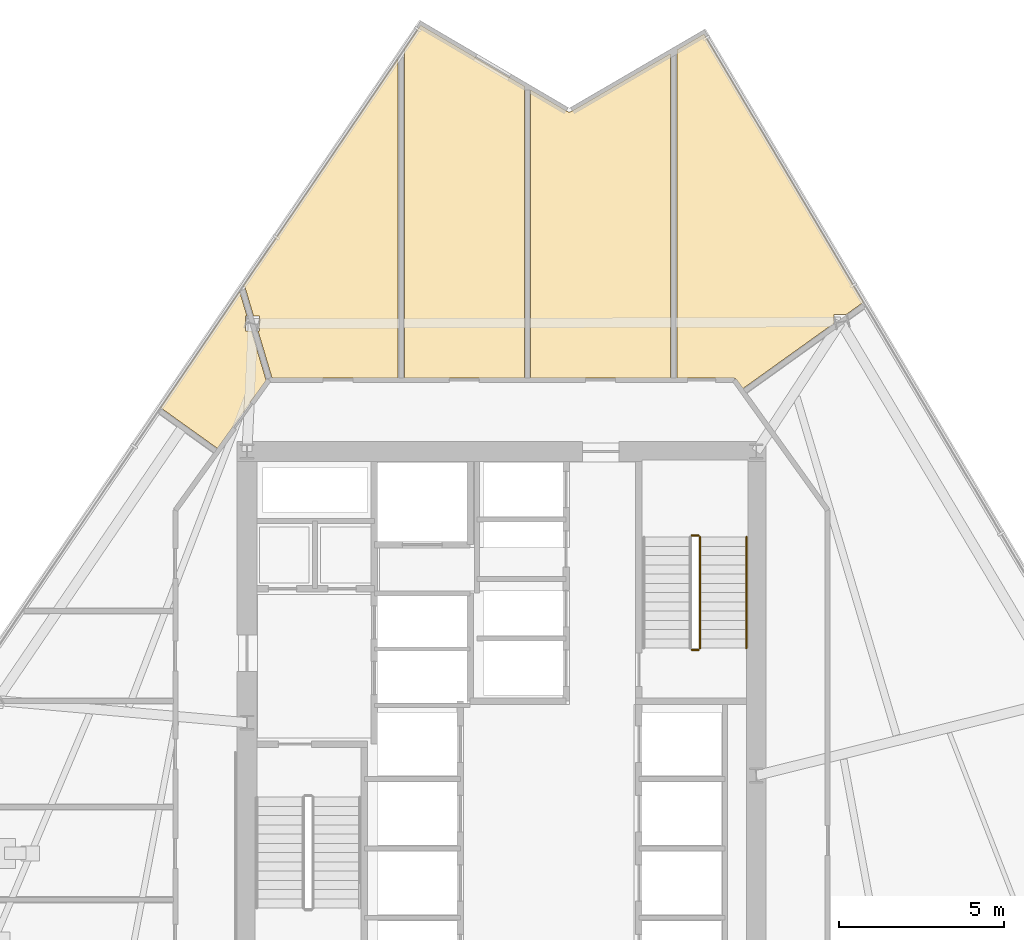
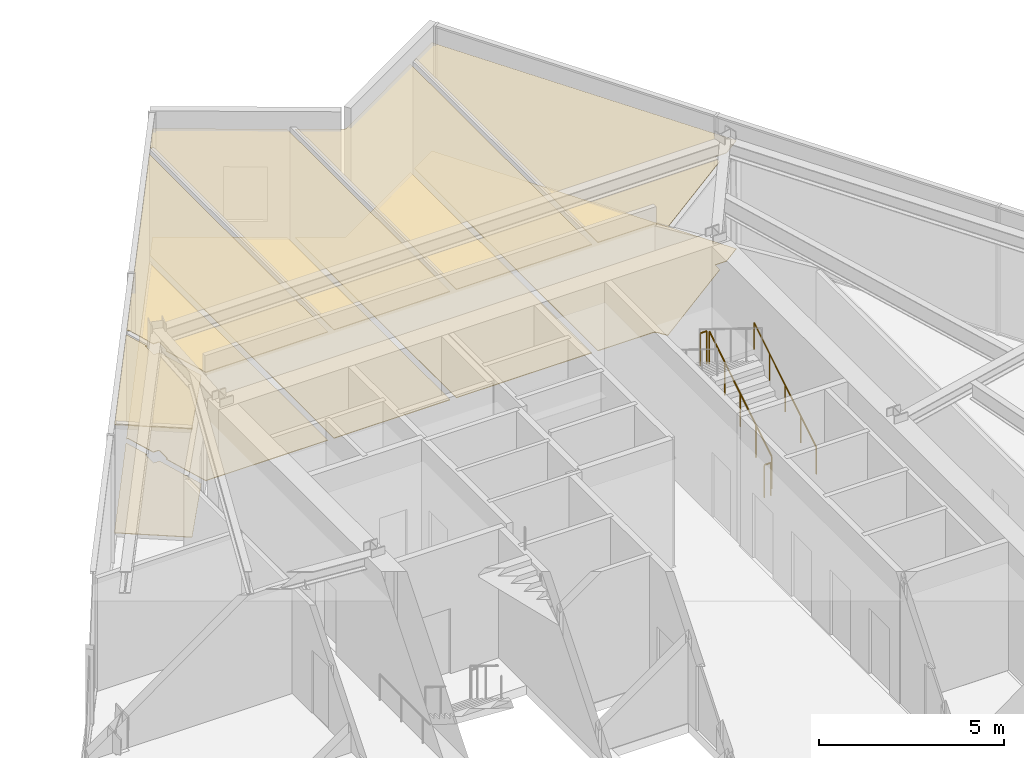
# One storey, part 13 of 14: 10 coverings, 4 railings.
"""IFC4 building model written with IfcOpenShell, lengths in metres."""

from ifc_helpers import new_model, si_unit, direction, frame, origin, origin_2d, place, context, subcontext, project, spatial, polyline, circle, outline, extrude, material, layer, layer_set, type_object, element, save


model = new_model("IFC4")

# Units and contexts
model_context = context("Model", 3, precision=1e-05, world=origin(), true_north=direction((0.0, 1.0)))
body_context = subcontext(model_context, "Body", "Model", "MODEL_VIEW")
ifc_project = project(units=[si_unit("LENGTHUNIT", "METRE"), si_unit("AREAUNIT", "SQUARE_METRE"), si_unit("VOLUMEUNIT", "CUBIC_METRE"), si_unit("PLANEANGLEUNIT", "RADIAN"), si_unit("MASSUNIT", "GRAM", prefix="KILO")], contexts=[model_context])

# Site, building, storey
site_placement = place(None, origin())
site = spatial("IfcSite", under=ifc_project, at=site_placement, CompositionType="ELEMENT")
building_placement = place(site_placement, origin())
building = spatial("IfcBuilding", under=site, at=building_placement, Name="Savorim Split Tower", CompositionType="ELEMENT")
storey_placement = place(building_placement, frame((0.0, 0.0, 78.0)))
storey = spatial("IfcBuildingStorey", under=building, at=storey_placement, Name="L20", CompositionType="ELEMENT", Elevation=78.0)

# Coverings
ifc_material_1 = material(Name="Mineral Fibre Acoustic Ceiling")
ifc_layer_1 = layer(ifc_material_1, 0.02490234375)
ifc_layer_set_1 = layer_set([ifc_layer_1], Name="COV-CEIL-25")
covering_type_1 = type_object("IfcCoveringType", Name="COV-CEIL-25", PredefinedType="CEILING", material=ifc_layer_set_1)
covering_1_placement = place(storey_placement, frame((0.0, 0.0, 3.570068359375)))
element("IfcCovering", 1, at=covering_1_placement, inside=storey, type_object=covering_type_1, Name="L20 Communal Lounge Acoustic Ceiling", PredefinedType="CEILING", context=body_context, shape_type="SweptSolid", body=[
    extrude(outline(polyline([(10.89404296875, 14.679931640625), (10.94140625, 14.7138671875), (6.120849609375, 22.821044921875), (5.29931640625, 22.34228515625), (5.29931640625, 12.419921875), (7.0, 12.419921875), (7.01318359375, 12.41943359375), (7.0263671875, 12.41748046875), (7.039306640625, 12.414306640625), (7.052001953125, 12.409912109375), (7.06396484375, 12.404541015625), (7.075439453125, 12.39794921875), (7.086181640625, 12.39013671875), (7.096435546875, 12.381591796875), (7.105712890625, 12.3720703125), (7.11376953125, 12.361572265625), (7.298583984375, 12.103759765625), (10.0576171875, 14.080810546875), (10.0576171875, 14.340087890625), (10.419677734375, 14.340087890625), (10.89404296875, 14.679931640625)])), origin(), (0.0, 0.0, 1.0), 0.02490234375),
])
covering_2_placement = place(storey_placement, frame((0.0, 0.0, 3.570068359375)))
element("IfcCovering", 2, at=covering_2_placement, inside=storey, type_object=covering_type_1, Name="L20 Quiet Study Room Acoustic Ceiling", PredefinedType="CEILING", context=body_context, shape_type="SweptSolid", body=[
    extrude(outline(polyline([(2.0068359375, 20.472412109375), (1.99609375, 20.476806640625), (1.986083984375, 20.482177734375), (0.87744140625, 21.1337890625), (0.87744140625, 12.419921875), (5.109375, 12.419921875), (5.109375, 22.231689453125), (2.107177734375, 20.48193359375), (2.096923828125, 20.4765625), (2.086181640625, 20.472412109375), (2.0751953125, 20.468994140625), (2.06396484375, 20.466796875), (2.052490234375, 20.4658203125), (2.040771484375, 20.4658203125), (2.029296875, 20.466796875), (2.01806640625, 20.468994140625), (2.0068359375, 20.472412109375)])), origin(), (0.0, 0.0, 1.0), 0.02490234375),
])
covering_3_placement = place(storey_placement, frame((0.0, 0.0, 3.570068359375)))
element("IfcCovering", 3, at=covering_3_placement, inside=storey, type_object=covering_type_1, Name="L20 Co-Working Commons Acoustic Ceiling", PredefinedType="CEILING", context=body_context, shape_type="SweptSolid", body=[
    extrude(outline(polyline([(-2.93994140625, 12.419921875), (0.6875, 12.419921875), (0.6875, 21.245361328125), (-2.447265625, 23.087646484375), (-2.93994140625, 22.36328125), (-2.93994140625, 12.419921875)])), origin(), (0.0, 0.0, 1.0), 0.02490234375),
])
covering_4_placement = place(storey_placement, frame((0.0, 0.0, 3.570068359375)))
element("IfcCovering", 4, at=covering_4_placement, inside=storey, type_object=covering_type_1, Name="L20 Quiet Study Room Acoustic Ceiling", PredefinedType="CEILING", context=body_context, shape_type="SweptSolid", body=[
    extrude(outline(polyline([(-7.3671875, 13.84619140625), (-6.9482421875, 12.44140625), (-6.94189453125, 12.419921875), (-3.1298828125, 12.419921875), (-3.1298828125, 22.083984375), (-7.825439453125, 15.181884765625), (-7.770263671875, 15.1982421875), (-7.499755859375, 14.291259765625), (-7.318115234375, 14.291259765625), (-7.318115234375, 13.84619140625), (-7.3671875, 13.84619140625)])), origin(), (0.0, 0.0, 1.0), 0.02490234375),
])
covering_5_placement = place(storey_placement, frame((0.0, 0.0, 3.570068359375)))
element("IfcCovering", 5, at=covering_5_placement, inside=storey, type_object=covering_type_1, Name="L20 Co-Working Commons Acoustic Ceiling", PredefinedType="CEILING", context=body_context, shape_type="SweptSolid", body=[
    extrude(outline(polyline([(-10.31298828125, 11.525146484375), (-8.594970703125, 10.294189453125), (-7.1201171875, 12.352783203125), (-7.5654296875, 13.84619140625), (-7.7470703125, 13.84619140625), (-7.7470703125, 14.291259765625), (-7.697998046875, 14.291259765625), (-7.921630859375, 15.04052734375), (-10.31298828125, 11.525146484375)])), origin(), (0.0, 0.0, 1.0), 0.02490234375),
])
ifc_material_2 = material(Name="Porcelain Stoneware Flooring", Category="masonry")
ifc_layer_2 = layer(ifc_material_2, 0.02001953125)
ifc_layer_set_2 = layer_set([ifc_layer_2], Name="COV-FLOR-20")
covering_type_2 = type_object("IfcCoveringType", Name="COV-FLOR-20", PredefinedType="FLOORING", material=ifc_layer_set_2)
covering_6_placement = place(storey_placement, origin())
element("IfcCovering", 6, at=covering_6_placement, inside=storey, type_object=covering_type_2, Name="L20 Communal Lounge Porcelain Flooring", PredefinedType="FLOORING", context=body_context, shape_type="SweptSolid", body=[
    extrude(outline(polyline([(10.89404296875, 14.679931640625), (10.94140625, 14.7138671875), (6.120849609375, 22.821044921875), (5.29931640625, 22.34228515625), (5.29931640625, 12.419921875), (7.0, 12.419921875), (7.01318359375, 12.41943359375), (7.0263671875, 12.41748046875), (7.039306640625, 12.414306640625), (7.052001953125, 12.409912109375), (7.06396484375, 12.404541015625), (7.075439453125, 12.39794921875), (7.086181640625, 12.39013671875), (7.096435546875, 12.381591796875), (7.105712890625, 12.3720703125), (7.11376953125, 12.361572265625), (7.298583984375, 12.103759765625), (10.0576171875, 14.080810546875), (10.0576171875, 14.340087890625), (10.419677734375, 14.340087890625), (10.89404296875, 14.679931640625)])), origin(), (0.0, 0.0, 1.0), 0.02001953125),
])
covering_7_placement = place(storey_placement, origin())
element("IfcCovering", 7, at=covering_7_placement, inside=storey, type_object=covering_type_2, Name="L20 Quiet Study Room Porcelain Flooring", PredefinedType="FLOORING", context=body_context, shape_type="SweptSolid", body=[
    extrude(outline(polyline([(2.0068359375, 20.472412109375), (1.99609375, 20.476806640625), (1.986083984375, 20.482177734375), (0.87744140625, 21.1337890625), (0.87744140625, 12.419921875), (5.109375, 12.419921875), (5.109375, 22.231689453125), (2.107177734375, 20.48193359375), (2.096923828125, 20.4765625), (2.086181640625, 20.472412109375), (2.0751953125, 20.468994140625), (2.06396484375, 20.466796875), (2.052490234375, 20.4658203125), (2.040771484375, 20.4658203125), (2.029296875, 20.466796875), (2.01806640625, 20.468994140625), (2.0068359375, 20.472412109375)])), origin(), (0.0, 0.0, 1.0), 0.02001953125),
])
covering_8_placement = place(storey_placement, origin())
element("IfcCovering", 8, at=covering_8_placement, inside=storey, type_object=covering_type_2, Name="L20 Co-Working Commons Porcelain Flooring", PredefinedType="FLOORING", context=body_context, shape_type="SweptSolid", body=[
    extrude(outline(polyline([(-2.93994140625, 12.419921875), (0.6875, 12.419921875), (0.6875, 21.245361328125), (-2.447265625, 23.087646484375), (-2.93994140625, 22.36328125), (-2.93994140625, 12.419921875)])), origin(), (0.0, 0.0, 1.0), 0.02001953125),
])
covering_9_placement = place(storey_placement, origin())
element("IfcCovering", 9, at=covering_9_placement, inside=storey, type_object=covering_type_2, Name="L20 Quiet Study Room Porcelain Flooring", PredefinedType="FLOORING", context=body_context, shape_type="SweptSolid", body=[
    extrude(outline(polyline([(-7.3671875, 13.84619140625), (-6.9482421875, 12.44140625), (-6.94189453125, 12.419921875), (-3.1298828125, 12.419921875), (-3.1298828125, 22.083984375), (-7.825439453125, 15.181884765625), (-7.770263671875, 15.1982421875), (-7.499755859375, 14.291259765625), (-7.318115234375, 14.291259765625), (-7.318115234375, 13.84619140625), (-7.3671875, 13.84619140625)])), origin(), (0.0, 0.0, 1.0), 0.02001953125),
])
covering_10_placement = place(storey_placement, origin())
element("IfcCovering", 10, at=covering_10_placement, inside=storey, type_object=covering_type_2, Name="L20 Co-Working Commons Porcelain Flooring", PredefinedType="FLOORING", context=body_context, shape_type="SweptSolid", body=[
    extrude(outline(polyline([(-10.31298828125, 11.525146484375), (-8.594970703125, 10.294189453125), (-7.1201171875, 12.352783203125), (-7.5654296875, 13.84619140625), (-7.7470703125, 13.84619140625), (-7.7470703125, 14.291259765625), (-7.697998046875, 14.291259765625), (-7.921630859375, 15.04052734375), (-10.31298828125, 11.525146484375)])), origin(), (0.0, 0.0, 1.0), 0.02001953125),
])

# Railings
ifc_material_3 = material(Name="Galvanised Painted Steel Balustrade", Category="steel")
railing_type_1 = type_object("IfcRailingType", Name="RLG-HR-900", PredefinedType="HANDRAIL", material=ifc_material_3)
railing_1_placement = place(storey_placement, frame((7.39990234375, 4.25, 0.173095703125)))
element("IfcRailing", 11, at=railing_1_placement, inside=storey, type_object=railing_type_1, Name="L20 ST-2 stair handrail 1", PredefinedType="HANDRAIL", context=body_context, shape_type="SweptSolid", body=[
    extrude(circle(Radius=0.02392578125, at=origin_2d()), frame((0.0, 0.0, 0.8759765625), z_axis=(0.0, 0.850623216509, 0.525775754039), x_axis=(-1.0, 0.0, 0.0)), (0.0, 0.0, 1.0), 3.9501953125),
    extrude(circle(Radius=0.02099609375, at=origin_2d()), origin(), (0.0, 0.0, 1.0), 0.851806640625),
    extrude(circle(Radius=0.02099609375, at=origin_2d()), frame((0.0, 0.840087890625, 0.519287109375)), (0.0, 0.0, 1.0), 0.851806640625),
    extrude(circle(Radius=0.02099609375, at=origin_2d()), frame((0.0, 1.68017578125, 1.03857421875)), (0.0, 0.0, 1.0), 0.851806640625),
    extrude(circle(Radius=0.02099609375, at=origin_2d()), frame((0.0, 2.52001953125, 1.5576171875)), (0.0, 0.0, 1.0), 0.851806640625),
    extrude(circle(Radius=0.02099609375, at=origin_2d()), frame((0.0, 3.360107421875, 2.076904296875)), (0.0, 0.0, 1.0), 0.851806640625),
])
railing_type_2 = type_object("IfcRailingType", Name="RLG-STG-1100", PredefinedType="BALUSTRADE", material=ifc_material_3)
railing_2_placement = place(storey_placement, frame((6.0, 4.25, 0.173095703125)))
element("IfcRailing", 12, at=railing_2_placement, inside=storey, type_object=railing_type_2, Name="L20 ST-2 stair guard 1", PredefinedType="BALUSTRADE", context=body_context, shape_type="SweptSolid", body=[
    extrude(circle(Radius=0.02392578125, at=origin_2d()), frame((0.0, 0.0, 1.076171875), z_axis=(0.0, 0.850623216509, 0.525775754039), x_axis=(-1.0, 0.0, 0.0)), (0.0, 0.0, 1.0), 3.9501953125),
    extrude(circle(Radius=0.02099609375, at=origin_2d()), origin(), (0.0, 0.0, 1.0), 1.052001953125),
    extrude(circle(Radius=0.02099609375, at=origin_2d()), frame((0.0, 0.840087890625, 0.519287109375)), (0.0, 0.0, 1.0), 1.052001953125),
    extrude(circle(Radius=0.02099609375, at=origin_2d()), frame((0.0, 1.68017578125, 1.03857421875)), (0.0, 0.0, 1.0), 1.052001953125),
    extrude(circle(Radius=0.02099609375, at=origin_2d()), frame((0.0, 2.52001953125, 1.5576171875)), (0.0, 0.0, 1.0), 1.052001953125),
    extrude(circle(Radius=0.02099609375, at=origin_2d()), frame((0.0, 3.360107421875, 2.076904296875)), (0.0, 0.0, 1.0), 1.052001953125),
])
for number, where, name in (
    (13, (5.949951171875, 7.659912109375, 2.25), "L20 ST-2 stair guard 2"),
    (14, (5.949951171875, 4.199951171875, 0.0), "L20 ST-2 stair guard 4"),
):
    element("IfcRailing", number, at=place(storey_placement, frame(where)), inside=storey, type_object=railing_type_2, Name=name, PredefinedType="BALUSTRADE", context=body_context, shape_type="SweptSolid", body=[
        extrude(circle(Radius=0.02392578125, at=origin_2d()), frame((0.0, 0.0, 1.076171875), z_axis=(-1.0, 0.0, 0.0), x_axis=(0.0, -1.0, 0.0)), (0.0, 0.0, 1.0), 0.199951171875),
        extrude(circle(Radius=0.02099609375, at=origin_2d()), origin(), (0.0, 0.0, 1.0), 1.052001953125),
        extrude(circle(Radius=0.02099609375, at=origin_2d()), frame((-0.199951171875, 0.0, 0.0)), (0.0, 0.0, 1.0), 1.052001953125),
    ])

save(model, "model.ifc")
